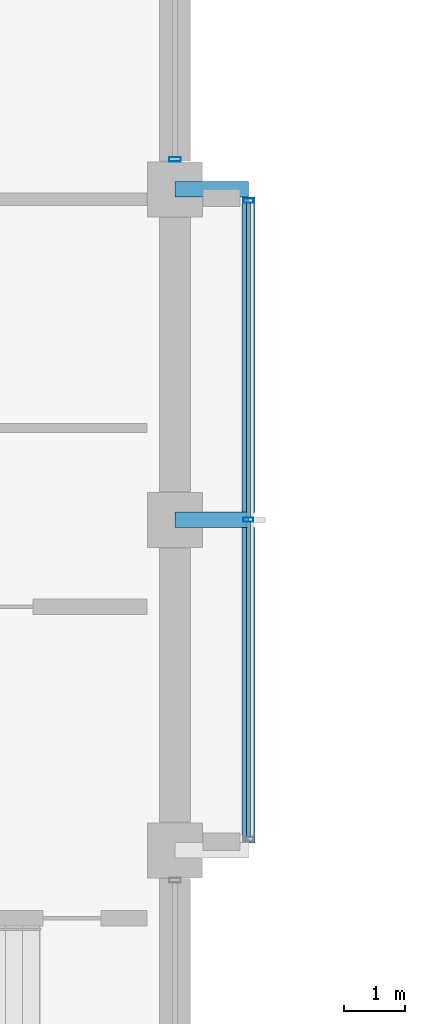
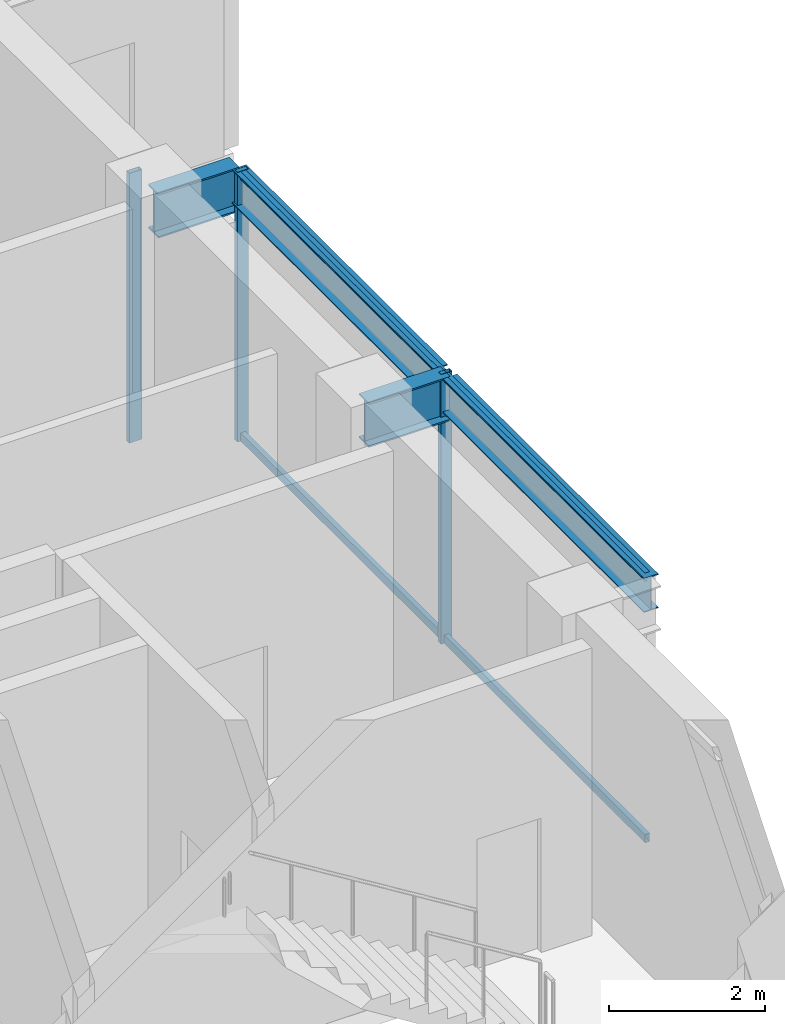
# One storey, part 9 of 21: 7 members, 4 beams, 2 elements without a shape of their own.
"""IFC4 building model written with IfcOpenShell, lengths in metres."""

from ifc_helpers import new_model, si_unit, direction, frame, origin, origin_2d, place, context, subcontext, project, spatial, hollow_rectangle, i_section, extrude, material, layer, layer_set, material_profile, profile_set, type_object, element, aggregate, save


model = new_model("IFC4")

# Units and contexts
model_context = context("Model", 3, precision=1e-05, world=origin(), true_north=direction((0.0, 1.0)))
body_context = subcontext(model_context, "Body", "Model", "MODEL_VIEW")
ifc_project = project(units=[si_unit("LENGTHUNIT", "METRE"), si_unit("AREAUNIT", "SQUARE_METRE"), si_unit("VOLUMEUNIT", "CUBIC_METRE"), si_unit("PLANEANGLEUNIT", "RADIAN"), si_unit("MASSUNIT", "GRAM", prefix="KILO")], contexts=[model_context])

# Site, building, storey
site_placement = place(None, origin())
site = spatial("IfcSite", under=ifc_project, at=site_placement, CompositionType="ELEMENT")
building_placement = place(site_placement, origin())
building = spatial("IfcBuilding", under=site, at=building_placement, Name="Surkhivell Harbour Commons", CompositionType="ELEMENT")
storey_placement = place(building_placement, frame((0.0, 0.0, 346.5)))
storey = spatial("IfcBuildingStorey", under=building, at=storey_placement, Name="L90", CompositionType="ELEMENT", Elevation=346.5)

# Beams
ifc_material_1 = material(Name="Steel S460", Category="steel")
ifc_material_profile_1 = material_profile(ifc_material_1, i_section(OverallWidth=0.256103515625, OverallDepth=0.693115234375, WebThickness=0.014404296875, FlangeThickness=0.023681640625, at=origin_2d()), Name="UB686x254x170")
ifc_profile_set_1 = profile_set([ifc_material_profile_1], Name="Steel S460")
beam_type_1 = type_object("IfcBeamType", Name="BM-CNT-686", PredefinedType="BEAM", material=ifc_profile_set_1)
for number, where, z_axis, x_axis, name in (
    (1, (10.800048828125, 0.0, 3.87353515625), (1.0, 0.0, 0.0), (0.0, 1.0, 0.0), "L90 Box Cantilever Outrigger (10.8,0.0)"),
    (2, (10.800048828125, 5.39990234375, 3.87353515625), (1.0, 0.0, 0.0), (0.0, 1.0, 0.0), "L90 Box Cantilever Outrigger (10.8,5.4)"),
):
    element("IfcBeam", number, at=place(storey_placement, frame(where, z_axis=z_axis, x_axis=x_axis)), inside=storey, type_object=beam_type_1, Name=name, PredefinedType="BEAM", context=body_context, shape_type="SweptSolid", body=[
        extrude(i_section(OverallWidth=0.256103515625, OverallDepth=0.693115234375, WebThickness=0.014404296875, FlangeThickness=0.023681640625, at=origin_2d()), origin(), (0.0, 0.0, 1.0), 1.199951171875),
    ])
ifc_material_2 = material(Name="Steel S355", Category="steel")
ifc_material_profile_2 = material_profile(ifc_material_2, i_section(OverallWidth=0.2099609375, OverallDepth=0.537109375, WebThickness=0.0107421875, FlangeThickness=0.017333984375, at=origin_2d()), Name="UB533x210x101")
ifc_profile_set_2 = profile_set([ifc_material_profile_2], Name="Steel S355")
beam_type_2 = type_object("IfcBeamType", Name="BM-GRD-533B", PredefinedType="BEAM", material=ifc_profile_set_2)
for number, where, z_axis, x_axis, name in (
    (3, (12.0, -5.278076171875, 3.951416015625), (0.0, 1.0, 0.0), (-1.0, 0.0, 0.0), "L90 Box Rim Spandrel (12.0,-5.4)"),
    (4, (12.0, 0.1220703125, 3.951416015625), (0.0, 1.0, 0.0), (-1.0, 0.0, 0.0), "L90 Box Rim Spandrel (12.0,0.0)"),
):
    element("IfcBeam", number, at=place(storey_placement, frame(where, z_axis=z_axis, x_axis=x_axis)), inside=storey, type_object=beam_type_2, Name=name, PredefinedType="BEAM", context=body_context, shape_type="SweptSolid", body=[
        extrude(i_section(OverallWidth=0.2099609375, OverallDepth=0.537109375, WebThickness=0.0107421875, FlangeThickness=0.017333984375, at=origin_2d()), origin(), (0.0, 0.0, 1.0), 5.156005859375),
    ])

# Curtain wall, members
ifc_material_3 = material(Name="Anodised pale-metal aluminium and insulated glazing", Category="aluminium")
ifc_layer_1 = layer(ifc_material_3, 0.1650390625)
ifc_layer_set_1 = layer_set([ifc_layer_1], Name="Anodised pale-metal aluminium and insulated glazing")
curtain_wall_type_1 = type_object("IfcCurtainWallType", Name="CW-SYS-BOX", PredefinedType="NOTDEFINED", material=ifc_layer_set_1)
curtain_wall_1_placement = place(storey_placement, origin())
curtain_wall_1 = element("IfcCurtainWall", 5, at=curtain_wall_1_placement, inside=storey, type_object=curtain_wall_type_1, Name="L90 Curtain Wall CW-L90-BOX01", PredefinedType="NOTDEFINED")
ifc_material_4 = material(Name="Champagne anodised aluminium alloy 6063-T6", Category="aluminium")
ifc_material_profile_3 = material_profile(ifc_material_4, hollow_rectangle(XDim=0.070068359375, YDim=0.1650390625, WallThickness=0.00341796875, at=origin_2d()), Name="ALU-MULL-70x165")
ifc_profile_set_3 = profile_set([ifc_material_profile_3], Name="Champagne anodised aluminium alloy 6063-T6")
member_type_1 = type_object("IfcMemberType", Name="CWM-165", PredefinedType="MULLION", material=ifc_profile_set_3)
member_1_placement = place(storey_placement, frame((12.0, 0.0, 0.0), z_axis=(0.0, 0.0, 1.0), x_axis=(0.0, 1.0, 0.0)))
member_1 = element("IfcMember", 6, at=member_1_placement, type_object=member_type_1, Name="CW-BOX mullion 2", PredefinedType="MULLION", context=body_context, shape_type="SweptSolid", body=[
    extrude(hollow_rectangle(XDim=0.070068359375, YDim=0.1650390625, WallThickness=0.00341796875, at=origin_2d()), origin(), (0.0, 0.0, 1.0), 4.219970703125),
])
member_2_placement = place(storey_placement, frame((12.0, 5.215087890625, 0.0), z_axis=(0.0, 0.0, 1.0), x_axis=(0.0, 1.0, 0.0)))
member_2 = element("IfcMember", 7, at=member_2_placement, type_object=member_type_1, Name="CW-BOX mullion 3", PredefinedType="MULLION", context=body_context, shape_type="SweptSolid", body=[
    extrude(hollow_rectangle(XDim=0.070068359375, YDim=0.1650390625, WallThickness=0.00341796875, at=origin_2d()), origin(), (0.0, 0.0, 1.0), 4.219970703125),
])

# Curtain wall, member
ifc_layer_2 = layer(ifc_material_3, 0.22998046875)
ifc_layer_set_2 = layer_set([ifc_layer_2], Name="Anodised pale-metal aluminium and insulated glazing")
curtain_wall_type_2 = type_object("IfcCurtainWallType", Name="CW-SYS-CRN", PredefinedType="NOTDEFINED", material=ifc_layer_set_2)
curtain_wall_2_placement = place(storey_placement, origin())
curtain_wall_2 = element("IfcCurtainWall", 8, at=curtain_wall_2_placement, inside=storey, type_object=curtain_wall_type_2, Name="L90 Curtain Wall CW-L90-C07S2", PredefinedType="NOTDEFINED")
ifc_material_5 = material(Name="Anodised pale-metal aluminium alloy 6063-T6", Category="aluminium")
ifc_material_profile_4 = material_profile(ifc_material_5, hollow_rectangle(XDim=0.074951171875, YDim=0.18994140625, WallThickness=0.00390625, at=origin_2d()), Name="ALU-MULL-75x190")
ifc_profile_set_4 = profile_set([ifc_material_profile_4], Name="Anodised pale-metal aluminium alloy 6063-T6")
member_type_2 = type_object("IfcMemberType", Name="CWM-190", PredefinedType="MULLION", material=ifc_profile_set_4)
member_3_placement = place(storey_placement, frame((10.800048828125, 5.889404296875, 0.0), z_axis=(0.0, 0.0, 1.0), x_axis=(0.0, 1.0, 0.0)))
member_3 = element("IfcMember", 9, at=member_3_placement, type_object=member_type_2, Name="CW-CRN mullion 1", PredefinedType="MULLION", context=body_context, shape_type="SweptSolid", body=[
    extrude(hollow_rectangle(XDim=0.074951171875, YDim=0.18994140625, WallThickness=0.00390625, at=origin_2d()), origin(), (0.0, 0.0, 1.0), 4.219970703125),
])
aggregate(curtain_wall_2, [member_3])

# Member
ifc_material_profile_5 = material_profile(ifc_material_4, hollow_rectangle(XDim=0.070068359375, YDim=0.1298828125, WallThickness=0.00341796875, at=origin_2d()), Name="ALU-TRAN-70x130")
ifc_profile_set_5 = profile_set([ifc_material_profile_5], Name="Champagne anodised aluminium alloy 6063-T6")
member_type_3 = type_object("IfcMemberType", Name="CWT-130", PredefinedType="USERDEFINED", material=ifc_profile_set_5)
member_4_placement = place(storey_placement, frame((12.0, -5.179931640625, 0.06494140625), z_axis=(0.0, 1.0, 0.0), x_axis=(-1.0, 0.0, 0.0)))
member_4 = element("IfcMember", 10, at=member_4_placement, type_object=member_type_3, Name="CW-BOX transom 1.1", ObjectType="TRANSOM", PredefinedType="USERDEFINED", context=body_context, shape_type="SweptSolid", body=[
    extrude(hollow_rectangle(XDim=0.070068359375, YDim=0.1298828125, WallThickness=0.00341796875, at=origin_2d()), origin(), (0.0, 0.0, 1.0), 5.14501953125),
])

member_5_placement = place(storey_placement, frame((12.0, -5.179931640625, 4.155029296875), z_axis=(0.0, 1.0, 0.0), x_axis=(-1.0, 0.0, 0.0)))
member_5 = element("IfcMember", 11, at=member_5_placement, type_object=member_type_3, Name="CW-BOX transom 1.2", ObjectType="TRANSOM", PredefinedType="USERDEFINED", context=body_context, shape_type="SweptSolid", body=[
    extrude(hollow_rectangle(XDim=0.070068359375, YDim=0.1298828125, WallThickness=0.00341796875, at=origin_2d()), origin(), (0.0, 0.0, 1.0), 5.14501953125),
])

member_6_placement = place(storey_placement, frame((12.0, 0.034912109375, 0.06494140625), z_axis=(0.0, 1.0, 0.0), x_axis=(-1.0, 0.0, 0.0)))
member_6 = element("IfcMember", 12, at=member_6_placement, type_object=member_type_3, Name="CW-BOX transom 2.1", ObjectType="TRANSOM", PredefinedType="USERDEFINED", context=body_context, shape_type="SweptSolid", body=[
    extrude(hollow_rectangle(XDim=0.070068359375, YDim=0.1298828125, WallThickness=0.00341796875, at=origin_2d()), origin(), (0.0, 0.0, 1.0), 5.14501953125),
])

member_7_placement = place(storey_placement, frame((12.0, 0.034912109375, 4.155029296875), z_axis=(0.0, 1.0, 0.0), x_axis=(-1.0, 0.0, 0.0)))
member_7 = element("IfcMember", 13, at=member_7_placement, type_object=member_type_3, Name="CW-BOX transom 2.2", ObjectType="TRANSOM", PredefinedType="USERDEFINED", context=body_context, shape_type="SweptSolid", body=[
    extrude(hollow_rectangle(XDim=0.070068359375, YDim=0.1298828125, WallThickness=0.00341796875, at=origin_2d()), origin(), (0.0, 0.0, 1.0), 5.14501953125),
])

aggregate(curtain_wall_1, [member_1, member_2, member_4, member_5, member_6, member_7])

save(model, "model.ifc")
